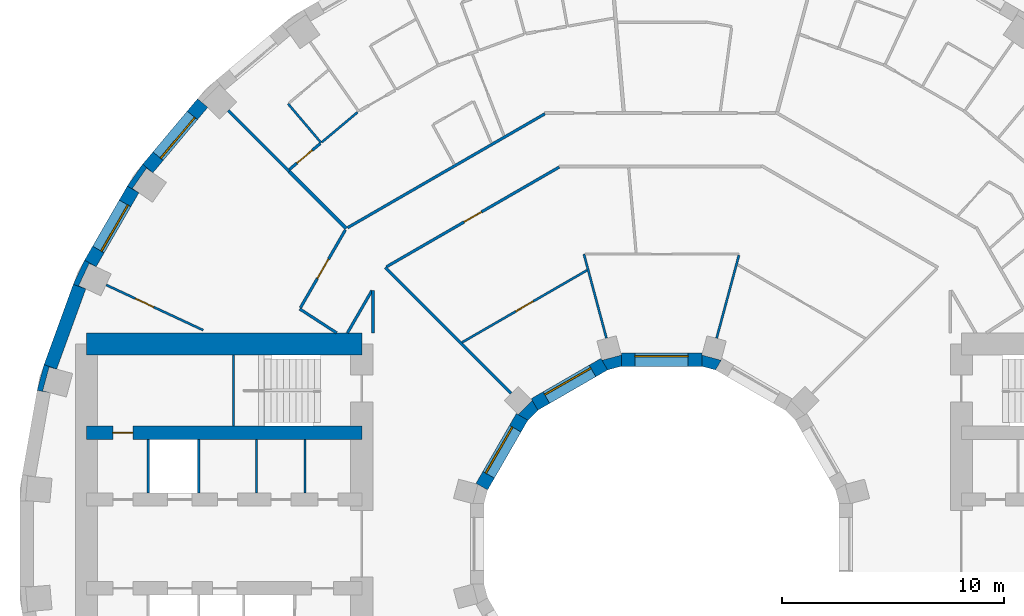
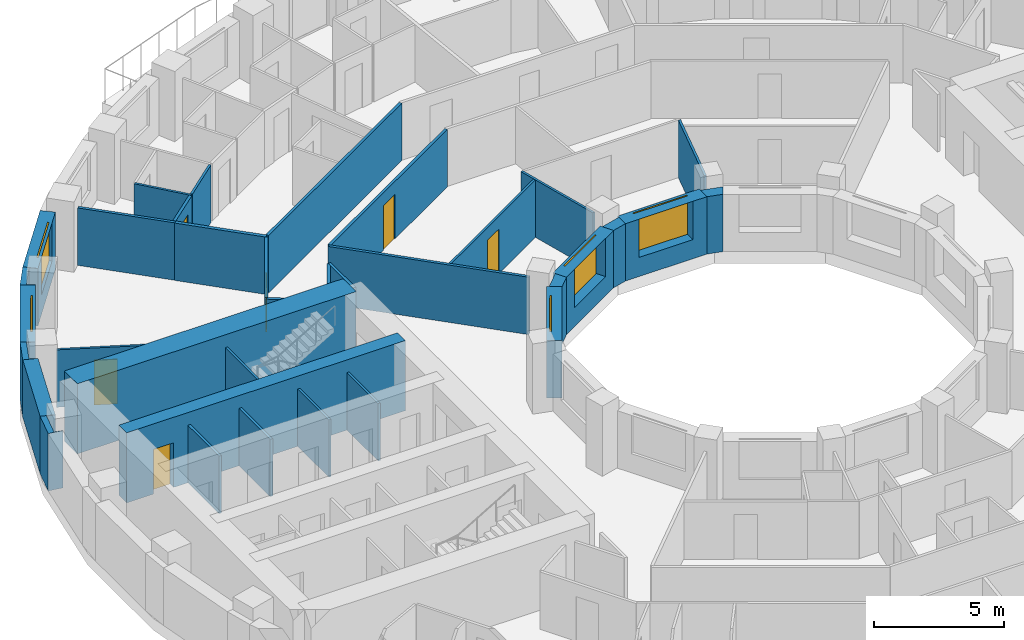
# One storey, part 10 of 15: 35 walls, 6 doors, 5 windows, 11 openings.
"""IFC4 building model written with IfcOpenShell, lengths in metres."""

from ifc_helpers import new_model, si_unit, direction, frame, frame_2d, origin, place, context, subcontext, project, spatial, polyline, rectangle, outline, extrude, material, layer, layer_set, type_object, element, fill, save


model = new_model("IFC4")

# Units and contexts
model_context = context("Model", 3, precision=1e-05, world=origin(), true_north=direction((0.0, 1.0)))
body_context = subcontext(model_context, "Body", "Model", "MODEL_VIEW")
ifc_project = project(units=[si_unit("LENGTHUNIT", "METRE"), si_unit("AREAUNIT", "SQUARE_METRE"), si_unit("VOLUMEUNIT", "CUBIC_METRE"), si_unit("PLANEANGLEUNIT", "RADIAN"), si_unit("MASSUNIT", "GRAM", prefix="KILO")], contexts=[model_context])

# Site, building, storey
site_placement = place(None, origin())
site = spatial("IfcSite", under=ifc_project, at=site_placement, CompositionType="ELEMENT")
building_placement = place(site_placement, origin())
building = spatial("IfcBuilding", under=site, at=building_placement, Name="Saqina Gate Tower", CompositionType="ELEMENT")
storey_placement = place(building_placement, frame((0.0, 0.0, 79.10009765625)))
storey = spatial("IfcBuildingStorey", under=building, at=storey_placement, Name="L22", CompositionType="ELEMENT", Elevation=79.10009765625)

# Walls
ifc_material_1 = material(Name="Brick masonry (red)", Category="masonry")
wall_type_1 = type_object("IfcWallType", Name="BRICK PIER COPING RED", PredefinedType="SOLIDWALL", material=ifc_material_1)
wall_1_placement = place(storey_placement, origin())
element("IfcWall", 1, at=wall_1_placement, inside=storey, type_object=wall_type_1, Name="Pier cap L22 column 15", PredefinedType="SOLIDWALL", context=body_context, shape_type="SweptSolid", body=[
    extrude(outline(polyline([(-23.36669921875, 17.096923828125), (-24.0576171875, 16.110107421875), (-23.5380859375, 15.81005859375), (-23.8251953125, 16.010986328125), (-23.194091796875, 16.912109375), (-22.9072265625, 16.711181640625), (-23.36669921875, 17.096923828125)])), origin(), (0.0, 0.0, 1.0), 2.699951171875),
])
wall_2_placement = place(storey_placement, origin())
element("IfcWall", 2, at=wall_2_placement, inside=storey, type_object=wall_type_1, Name="Pier cap L22 column 16", PredefinedType="SOLIDWALL", context=body_context, shape_type="SweptSolid", body=[
    extrude(outline(polyline([(-26.48974609375, 11.687744140625), (-25.92578125, 11.482666015625), (-26.243408203125, 11.630615234375), (-25.778564453125, 12.627685546875), (-25.4609375, 12.4794921875), (-25.980712890625, 12.779541015625), (-26.48974609375, 11.687744140625)])), origin(), (0.0, 0.0, 1.0), 2.699951171875),
])
wall_3_placement = place(storey_placement, origin())
element("IfcWall", 3, at=wall_3_placement, inside=storey, type_object=wall_type_1, Name="Pier cap L22 column 17", PredefinedType="SOLIDWALL", context=body_context, shape_type="SweptSolid", body=[
    extrude(outline(polyline([(-28.11669921875, 6.910400390625), (-27.52587890625, 6.80615234375), (-27.864501953125, 6.896728515625), (-27.57958984375, 7.95947265625), (-27.2412109375, 7.86865234375), (-27.80517578125, 8.073974609375), (-28.11669921875, 6.910400390625)])), origin(), (0.0, 0.0, 1.0), 2.699951171875),
])
ifc_material_2 = material(Name="Gypsum board on steel studs", Category="steel")
ifc_layer_1 = layer(ifc_material_2, 0.10009765625)
ifc_layer_set_1 = layer_set([ifc_layer_1], Name="CORE PARTITION")
wall_type_2 = type_object("IfcWallType", Name="CORE PARTITION", PredefinedType="PARTITIONING", material=ifc_layer_set_1)
for number, where, z_axis, x_axis, name in (
    (4, (-16.052001953125, 2.300048828125, 0.0), (0.0, 0.0, 1.0), (0.0, 1.0, 0.0), "L22-CP-W01"),
    (5, (-18.24072265625, 2.300048828125, 0.0), (0.0, 0.0, 1.0), (0.0, 1.0, 0.0), "L22-CP-W02"),
):
    element("IfcWall", number, at=place(storey_placement, frame(where, z_axis=z_axis, x_axis=x_axis)), inside=storey, type_object=wall_type_2, Name=name, PredefinedType="PARTITIONING", context=body_context, shape_type="SweptSolid", body=[
        extrude(rectangle(XDim=2.39990234375, YDim=0.10009765625, at=frame_2d((1.199951171875, 0.0))), origin(), (0.0, 0.0, 1.0), 2.699951171875),
    ])

# Wall, opening, window
ifc_material_3 = material(Name="Brick masonry (red)", Category="masonry")
ifc_layer_2 = layer(ifc_material_3, 0.60009765625)
ifc_layer_set_2 = layer_set([ifc_layer_2], Name="FW-BRICK-RED")
wall_type_3 = type_object("IfcWallType", Name="FW-BRICK-RED", PredefinedType="SOLIDWALL", material=ifc_layer_set_2)
wall_4_placement = place(storey_placement, frame((-20.664794921875, 19.85009765625, 0.0), z_axis=(0.0, 0.0, 1.0), x_axis=(-0.642809392687, -0.766026164483, 0.0)))
wall_4 = element("IfcWall", 6, at=wall_4_placement, inside=storey, type_object=wall_type_3, Name="Facade wall L22 facet 14", PredefinedType="SOLIDWALL", context=body_context, shape_type="SweptSolid", body=[
    extrude(rectangle(XDim=3.845947265625, YDim=0.60009765625, at=frame_2d((1.9228515625, 0.0))), origin(), (0.0, 0.0, 1.0), 2.699951171875),
])
opening_1_placement = place(wall_4_placement, frame((0.722900390625, 0.0, 0.89990234375)))
opening_1 = element("IfcOpeningElement", 7, at=opening_1_placement, cuts=wall_4, Name="Opening G06-W08", PredefinedType="OPENING", context=body_context, shape_type="SweptSolid", body=[
    extrude(rectangle(XDim=2.39990234375, YDim=1.800048828125, at=frame_2d((1.199951171875, 0.89990234375))), frame((0.0, 0.31201171875, 0.0), z_axis=(0.0, -1.0, 0.0), x_axis=(1.0, 0.0, 0.0)), (0.0, 0.0, 1.0), 0.6240234375),
])
ifc_material_4 = material(Name="Aluminium glazing", Category="aluminium")
window_type_1 = type_object("IfcWindowType", Name="WN-A", PartitioningType="SINGLE_PANEL", PredefinedType="WINDOW", material=ifc_material_4)
window_1_placement = place(opening_1_placement, origin())
window_1 = element("IfcWindow", 8, at=window_1_placement, inside=storey, type_object=window_type_1, Name="Window L22 facet 14", OverallHeight=1.800048828125, OverallWidth=2.39990234375, PartitioningType="SINGLE_PANEL", PredefinedType="WINDOW", context=body_context, shape_type="SweptSolid", body=[
    extrude(rectangle(XDim=2.39990234375, YDim=1.800048828125, at=frame_2d((1.199951171875, 0.89990234375))), frame((0.0, 0.179931640625, 0.0), z_axis=(0.0, -1.0, 0.0), x_axis=(1.0, 0.0, 0.0)), (0.0, 0.0, 1.0), 0.06005859375),
])
fill(opening_1, window_1)

wall_5_placement = place(storey_placement, frame((-23.7978515625, 15.960205078125, 0.0), z_axis=(0.0, 0.0, 1.0), x_axis=(-0.499989888488, -0.86603124159, 0.0)))
wall_5 = element("IfcWall", 9, at=wall_5_placement, inside=storey, type_object=wall_type_3, Name="Facade wall L22 facet 15", PredefinedType="SOLIDWALL", context=body_context, shape_type="SweptSolid", body=[
    extrude(rectangle(XDim=3.845703125, YDim=0.60009765625, at=frame_2d((1.9228515625, 0.0))), origin(), (0.0, 0.0, 1.0), 2.699951171875),
])
opening_2_placement = place(wall_5_placement, frame((0.722900390625, 0.0, 0.89990234375)))
opening_2 = element("IfcOpeningElement", 10, at=opening_2_placement, cuts=wall_5, Name="Opening G06-W09", PredefinedType="OPENING", context=body_context, shape_type="SweptSolid", body=[
    extrude(rectangle(XDim=2.39990234375, YDim=1.800048828125, at=frame_2d((1.199951171875, 0.89990234375))), frame((0.0, 0.31201171875, 0.0), z_axis=(0.0, -1.0, 0.0), x_axis=(1.0, 0.0, 0.0)), (0.0, 0.0, 1.0), 0.6240234375),
])
window_2_placement = place(opening_2_placement, origin())
window_2 = element("IfcWindow", 11, at=window_2_placement, inside=storey, type_object=window_type_1, Name="Window L22 facet 15", OverallHeight=1.800048828125, OverallWidth=2.39990234375, PartitioningType="SINGLE_PANEL", PredefinedType="WINDOW", context=body_context, shape_type="SweptSolid", body=[
    extrude(rectangle(XDim=2.39990234375, YDim=1.800048828125, at=frame_2d((1.199951171875, 0.89990234375))), frame((0.0, 0.179931640625, 0.0), z_axis=(0.0, -1.0, 0.0), x_axis=(1.0, 0.0, 0.0)), (0.0, 0.0, 1.0), 0.06005859375),
])
fill(opening_2, window_2)

# Wall
ifc_material_5 = material(Name="Glazed ceramic tile (dark blue)", Category="ceramic")
ifc_layer_3 = layer(ifc_material_5, 0.60009765625)
ifc_layer_set_3 = layer_set([ifc_layer_3], Name="FW-TILE-CB")
wall_type_4 = type_object("IfcWallType", Name="FW-TILE-CB", PredefinedType="SOLIDWALL", material=ifc_layer_set_3)
wall_6_placement = place(storey_placement, frame((-26.207763671875, 11.585205078125, 0.0), z_axis=(0.0, 0.0, 1.0), x_axis=(-0.342028474173, -0.939689588564, 0.0)))
element("IfcWall", 12, at=wall_6_placement, inside=storey, type_object=wall_type_4, Name="Facade wall L22 facet 16", PredefinedType="SOLIDWALL", context=body_context, shape_type="SweptSolid", body=[
    extrude(rectangle(XDim=3.845947265625, YDim=0.60009765625, at=frame_2d((1.9228515625, 0.0))), origin(), (0.0, 0.0, 1.0), 2.699951171875),
])

# Wall, opening, window
ifc_material_6 = material(Name="Glazed ceramic tile", Category="ceramic")
ifc_layer_4 = layer(ifc_material_6, 0.60009765625)
ifc_layer_set_4 = layer_set([ifc_layer_4], Name="IW-TILE")
wall_type_5 = type_object("IfcWallType", Name="IW-TILE", PredefinedType="SOLIDWALL", material=ifc_layer_set_4)
wall_7_placement = place(storey_placement, frame((1.8125, 8.300048828125, 0.0), z_axis=(0.0, 0.0, 1.0), x_axis=(-1.0, 0.0, 0.0)))
wall_7 = element("IfcWall", 13, at=wall_7_placement, inside=storey, type_object=wall_type_5, Name="Well wall L22 facet 3", PredefinedType="SOLIDWALL", context=body_context, shape_type="SweptSolid", body=[
    extrude(rectangle(XDim=3.625, YDim=0.60009765625, at=frame_2d((1.8125, 0.0))), origin(), (0.0, 0.0, 1.0), 2.699951171875),
])
opening_3_placement = place(wall_7_placement, frame((0.612548828125, 0.0, 0.89990234375)))
opening_3 = element("IfcOpeningElement", 14, at=opening_3_placement, cuts=wall_7, Name="Opening G06-W25", PredefinedType="OPENING", context=body_context, shape_type="SweptSolid", body=[
    extrude(rectangle(XDim=2.39990234375, YDim=1.800048828125, at=frame_2d((1.199951171875, 0.89990234375))), frame((0.0, 0.31201171875, 0.0), z_axis=(0.0, -1.0, 0.0), x_axis=(1.0, 0.0, 0.0)), (0.0, 0.0, 1.0), 0.6240234375),
])
ifc_material_7 = material(Name="Aluminium glazing", Category="aluminium")
window_type_2 = type_object("IfcWindowType", Name="WN-W", PartitioningType="SINGLE_PANEL", PredefinedType="WINDOW", material=ifc_material_7)
window_3_placement = place(opening_3_placement, origin())
window_3 = element("IfcWindow", 15, at=window_3_placement, inside=storey, type_object=window_type_2, Name="Well window L22 facet 3", OverallHeight=1.800048828125, OverallWidth=2.39990234375, PartitioningType="SINGLE_PANEL", PredefinedType="WINDOW", context=body_context, shape_type="SweptSolid", body=[
    extrude(rectangle(XDim=2.39990234375, YDim=1.800048828125, at=frame_2d((1.199951171875, 0.89990234375))), frame((0.0, -0.119873046875, 0.0), z_axis=(0.0, -1.0, 0.0), x_axis=(1.0, 0.0, 0.0)), (0.0, 0.0, 1.0), 0.06005859375),
])
fill(opening_3, window_3)

wall_8_placement = place(storey_placement, frame((-2.580322265625, 8.09423828125, 0.0), z_axis=(0.0, 0.0, 1.0), x_axis=(-0.866029693906, -0.499992569217, 0.0)))
wall_8 = element("IfcWall", 16, at=wall_8_placement, inside=storey, type_object=wall_type_5, Name="Well wall L22 facet 4", PredefinedType="SOLIDWALL", context=body_context, shape_type="SweptSolid", body=[
    extrude(rectangle(XDim=3.625, YDim=0.60009765625, at=frame_2d((1.8125, 0.0))), origin(), (0.0, 0.0, 1.0), 2.699951171875),
])
opening_4_placement = place(wall_8_placement, frame((0.612548828125, 0.0, 0.89990234375)))
opening_4 = element("IfcOpeningElement", 17, at=opening_4_placement, cuts=wall_8, Name="Opening G06-W26", PredefinedType="OPENING", context=body_context, shape_type="SweptSolid", body=[
    extrude(rectangle(XDim=2.39990234375, YDim=1.800048828125, at=frame_2d((1.199951171875, 0.89990234375))), frame((0.0, 0.31201171875, 0.0), z_axis=(0.0, -1.0, 0.0), x_axis=(1.0, 0.0, 0.0)), (0.0, 0.0, 1.0), 0.6240234375),
])
window_4_placement = place(opening_4_placement, origin())
window_4 = element("IfcWindow", 18, at=window_4_placement, inside=storey, type_object=window_type_2, Name="Well window L22 facet 4", OverallHeight=1.800048828125, OverallWidth=2.39990234375, PartitioningType="SINGLE_PANEL", PredefinedType="WINDOW", context=body_context, shape_type="SweptSolid", body=[
    extrude(rectangle(XDim=2.39990234375, YDim=1.800048828125, at=frame_2d((1.199951171875, 0.89990234375))), frame((0.0, -0.119873046875, 0.0), z_axis=(0.0, -1.0, 0.0), x_axis=(1.0, 0.0, 0.0)), (0.0, 0.0, 1.0), 0.06005859375),
])
fill(opening_4, window_4)

wall_9_placement = place(storey_placement, frame((-6.28173828125, 5.7197265625, 0.0), z_axis=(0.0, 0.0, 1.0), x_axis=(-0.499992569217, -0.866029693906, 0.0)))
wall_9 = element("IfcWall", 19, at=wall_9_placement, inside=storey, type_object=wall_type_5, Name="Well wall L22 facet 5", PredefinedType="SOLIDWALL", context=body_context, shape_type="SweptSolid", body=[
    extrude(rectangle(XDim=3.625, YDim=0.60009765625, at=frame_2d((1.8125, 0.0))), origin(), (0.0, 0.0, 1.0), 2.699951171875),
])
opening_5_placement = place(wall_9_placement, frame((0.612548828125, 0.0, 0.89990234375)))
opening_5 = element("IfcOpeningElement", 20, at=opening_5_placement, cuts=wall_9, Name="Opening G06-W27", PredefinedType="OPENING", context=body_context, shape_type="SweptSolid", body=[
    extrude(rectangle(XDim=2.39990234375, YDim=1.800048828125, at=frame_2d((1.199951171875, 0.89990234375))), frame((0.0, 0.31201171875, 0.0), z_axis=(0.0, -1.0, 0.0), x_axis=(1.0, 0.0, 0.0)), (0.0, 0.0, 1.0), 0.6240234375),
])
window_5_placement = place(opening_5_placement, origin())
window_5 = element("IfcWindow", 21, at=window_5_placement, inside=storey, type_object=window_type_2, Name="Well window L22 facet 5", OverallHeight=1.800048828125, OverallWidth=2.39990234375, PartitioningType="SINGLE_PANEL", PredefinedType="WINDOW", context=body_context, shape_type="SweptSolid", body=[
    extrude(rectangle(XDim=2.39990234375, YDim=1.800048828125, at=frame_2d((1.199951171875, 0.89990234375))), frame((0.0, -0.119873046875, 0.0), z_axis=(0.0, -1.0, 0.0), x_axis=(1.0, 0.0, 0.0)), (0.0, 0.0, 1.0), 0.06005859375),
])
fill(opening_5, window_5)

# Walls
ifc_material_8 = material(Name="Gypsum board on steel studs, 100 mm", Category="steel")
ifc_layer_5 = layer(ifc_material_8, 0.10009765625)
ifc_layer_set_5 = layer_set([ifc_layer_5], Name="PARTITION 100")
wall_type_6 = type_object("IfcWallType", Name="PARTITION 100", PredefinedType="PARTITIONING", material=ifc_layer_set_5)
wall_10_placement = place(storey_placement, frame((-3.4970703125, 13.050048828125, 0.0), z_axis=(0.0, 0.0, 1.0), x_axis=(0.25883367308, -0.965921906616, 0.0)))
element("IfcWall", 22, at=wall_10_placement, inside=storey, type_object=wall_type_6, Name="PARTITION PW3-08", PredefinedType="PARTITIONING", context=body_context, shape_type="SweptSolid", body=[
    extrude(rectangle(XDim=3.918212890625, YDim=0.10009765625, at=frame_2d((1.958984375, 0.0))), origin(), (0.0, 0.0, 1.0), 2.699951171875),
])
wall_11_placement = place(storey_placement, frame((-16.81689453125, 19.81591796875, 0.0), z_axis=(0.0, 0.0, 1.0), x_axis=(0.646883930741, -0.762588473653, 0.0)))
element("IfcWall", 23, at=wall_11_placement, inside=storey, type_object=wall_type_6, Name="PARTITION PW3-33", PredefinedType="PARTITIONING", context=body_context, shape_type="SweptSolid", body=[
    extrude(rectangle(XDim=2.300048828125, YDim=0.10009765625, at=frame_2d((1.14990234375, 0.0))), origin(), (0.0, 0.0, 1.0), 2.699951171875),
])

# Wall, opening, door
wall_12_placement = place(storey_placement, frame((-25.005126953125, 11.659912109375, 0.0), z_axis=(0.0, 0.0, 1.0), x_axis=(0.90635409516, -0.422518939442, 0.0)))
wall_12 = element("IfcWall", 24, at=wall_12_placement, inside=storey, type_object=wall_type_6, Name="PARTITION PW3-47", PredefinedType="PARTITIONING", context=body_context, shape_type="SweptSolid", body=[
    extrude(rectangle(XDim=4.813720703125, YDim=0.10009765625, at=frame_2d((2.40673828125, 0.0))), origin(), (0.0, 0.0, 1.0), 2.699951171875),
])
opening_6_placement = place(wall_12_placement, frame((1.453125, 0.0, 0.0)))
opening_6 = element("IfcOpeningElement", 25, at=opening_6_placement, cuts=wall_12, Name="Opening G06-D33", PredefinedType="OPENING", context=body_context, shape_type="SweptSolid", body=[
    extrude(rectangle(XDim=0.89990234375, YDim=2.10009765625, at=frame_2d((0.449951171875, 1.050048828125))), frame((0.0, 0.06201171875, 0.0), z_axis=(0.0, -1.0, 0.0), x_axis=(1.0, 0.0, 0.0)), (0.0, 0.0, 1.0), 0.1240234375),
])
ifc_material_9 = material(Name="Timber door leaf, 900 mm", Category="wood")
door_type_1 = type_object("IfcDoorType", Name="DOOR 900 TIMBER", OperationType="SINGLE_SWING_LEFT", PredefinedType="DOOR", material=ifc_material_9)
door_1_placement = place(opening_6_placement, origin())
door_1 = element("IfcDoor", 26, at=door_1_placement, inside=storey, type_object=door_type_1, Name="DOOR G06-D33", OperationType="SINGLE_SWING_LEFT", OverallHeight=2.10009765625, OverallWidth=0.89990234375, PredefinedType="DOOR", context=body_context, shape_type="SweptSolid", body=[
    extrude(rectangle(XDim=0.89990234375, YDim=2.10009765625, at=frame_2d((0.449951171875, 1.050048828125))), frame((0.0, 0.02490234375, 0.0), z_axis=(0.0, -1.0, 0.0), x_axis=(1.0, 0.0, 0.0)), (0.0, 0.0, 1.0), 0.050048828125),
])
fill(opening_6, door_1)

wall_13_placement = place(storey_placement, frame((-8.98681640625, 9.072265625, 0.0), z_axis=(0.0, 0.0, 1.0), x_axis=(0.866049975988, 0.49995743728, 0.0)))
wall_13 = element("IfcWall", 27, at=wall_13_placement, inside=storey, type_object=wall_type_6, Name="PARTITION PW3-78", PredefinedType="PARTITIONING", context=body_context, shape_type="SweptSolid", body=[
    extrude(rectangle(XDim=6.50537109375, YDim=0.10009765625, at=frame_2d((3.252685546875, 0.0))), origin(), (0.0, 0.0, 1.0), 2.699951171875),
])
opening_7_placement = place(wall_13_placement, frame((2.796875, 0.0, 0.0)))
opening_7 = element("IfcOpeningElement", 28, at=opening_7_placement, cuts=wall_13, Name="Opening G06-D27", PredefinedType="OPENING", context=body_context, shape_type="SweptSolid", body=[
    extrude(rectangle(XDim=0.89990234375, YDim=2.10009765625, at=frame_2d((0.449951171875, 1.050048828125))), frame((0.0, 0.06201171875, 0.0), z_axis=(0.0, -1.0, 0.0), x_axis=(1.0, 0.0, 0.0)), (0.0, 0.0, 1.0), 0.1240234375),
])
door_2_placement = place(opening_7_placement, origin())
door_2 = element("IfcDoor", 29, at=door_2_placement, inside=storey, type_object=door_type_1, Name="DOOR G06-D27", OperationType="SINGLE_SWING_LEFT", OverallHeight=2.10009765625, OverallWidth=0.89990234375, PredefinedType="DOOR", context=body_context, shape_type="SweptSolid", body=[
    extrude(rectangle(XDim=0.89990234375, YDim=2.10009765625, at=frame_2d((0.449951171875, 1.050048828125))), frame((0.0, 0.02490234375, 0.0), z_axis=(0.0, -1.0, 0.0), x_axis=(1.0, 0.0, 0.0)), (0.0, 0.0, 1.0), 0.050048828125),
])
fill(opening_7, door_2)

# Walls
wall_14_placement = place(storey_placement, frame((-15.290771484375, 18.09423828125, 0.0), z_axis=(0.0, 0.0, 1.0), x_axis=(0.765911671875, 0.642945807114, 0.0)))
element("IfcWall", 30, at=wall_14_placement, inside=storey, type_object=wall_type_6, Name="PARTITION PW3-90", PredefinedType="PARTITIONING", context=body_context, shape_type="SweptSolid", body=[
    extrude(rectangle(XDim=2.092529296875, YDim=0.10009765625, at=frame_2d((1.04638671875, 0.0))), origin(), (0.0, 0.0, 1.0), 2.699951171875),
])
wall_15_placement = place(storey_placement, frame((2.4794921875, 9.26611328125, 0.0), z_axis=(0.0, 0.0, 1.0), x_axis=(0.259708651599, 0.965687017768, 0.0)))
element("IfcWall", 31, at=wall_15_placement, inside=storey, type_object=wall_type_6, Name="PARTITION PW3-111", PredefinedType="PARTITIONING", context=body_context, shape_type="SweptSolid", body=[
    extrude(rectangle(XDim=3.868408203125, YDim=0.10009765625, at=frame_2d((1.93408203125, 0.0))), origin(), (0.0, 0.0, 1.0), 2.699951171875),
])
ifc_material_10 = material(Name="Gypsum board on steel studs, 125 mm, fire rated", Category="steel")
ifc_layer_6 = layer(ifc_material_10, 0.125)
ifc_layer_set_6 = layer_set([ifc_layer_6], Name="PARTITION EI 30 125")
wall_type_7 = type_object("IfcWallType", Name="PARTITION EI 30 125", PredefinedType="PARTITIONING", material=ifc_layer_set_6)
wall_16_placement = place(storey_placement, frame((-19.509033203125, 19.509033203125, 0.0), z_axis=(0.0, 0.0, 1.0), x_axis=(0.707106781187, -0.707106781187, 0.0)))
element("IfcWall", 32, at=wall_16_placement, inside=storey, type_object=wall_type_7, Name="PARTITION PW1-12", PredefinedType="PARTITIONING", context=body_context, shape_type="SweptSolid", body=[
    extrude(rectangle(XDim=3.87255859375, YDim=0.125, at=frame_2d((1.936279296875, 0.0))), origin(), (0.0, 0.0, 1.0), 2.699951171875),
])
wall_17_placement = place(storey_placement, frame((-12.445068359375, 12.445068359375, 0.0), z_axis=(0.0, 0.0, 1.0), x_axis=(0.707106781187, -0.707106781187, 0.0)))
element("IfcWall", 33, at=wall_17_placement, inside=storey, type_object=wall_type_7, Name="PARTITION PW1-13", PredefinedType="PARTITIONING", context=body_context, shape_type="SweptSolid", body=[
    extrude(rectangle(XDim=8.0078125, YDim=0.125, at=frame_2d((4.00390625, 0.0))), origin(), (0.0, 0.0, 1.0), 2.699951171875),
])
wall_18_placement = place(storey_placement, frame((-16.29296875, 10.580078125, 0.0), z_axis=(0.0, 0.0, 1.0), x_axis=(0.838803325008, -0.544434552499, 0.0)))
element("IfcWall", 34, at=wall_18_placement, inside=storey, type_object=wall_type_7, Name="PARTITION PW1-18", PredefinedType="PARTITIONING", context=body_context, shape_type="SweptSolid", body=[
    extrude(rectangle(XDim=1.98388671875, YDim=0.125, at=frame_2d((0.991943359375, 0.0))), origin(), (0.0, 0.0, 1.0), 2.699951171875),
])

# Wall, opening, door
wall_19_placement = place(storey_placement, frame((-12.390869140625, 12.476318359375, 0.0), z_axis=(0.0, 0.0, 1.0), x_axis=(0.866042609802, 0.499970197119, 0.0)))
wall_19 = element("IfcWall", 35, at=wall_19_placement, inside=storey, type_object=wall_type_7, Name="PARTITION PW1-47", PredefinedType="PARTITIONING", context=body_context, shape_type="SweptSolid", body=[
    extrude(rectangle(XDim=8.9853515625, YDim=0.125, at=frame_2d((4.49267578125, 0.0))), origin(), (0.0, 0.0, 1.0), 2.699951171875),
])
opening_8_placement = place(wall_19_placement, frame((4.042724609375, 0.0, 0.0)))
opening_8 = element("IfcOpeningElement", 36, at=opening_8_placement, cuts=wall_19, Name="Opening G06-D28", PredefinedType="OPENING", context=body_context, shape_type="SweptSolid", body=[
    extrude(rectangle(XDim=0.89990234375, YDim=2.10009765625, at=frame_2d((0.449951171875, 1.050048828125))), frame((0.0, 0.074462890625, 0.0), z_axis=(0.0, -1.0, 0.0), x_axis=(1.0, 0.0, 0.0)), (0.0, 0.0, 1.0), 0.14892578125),
])
ifc_material_11 = material(Name="Fire door leaf EI 30, 900 mm")
door_type_2 = type_object("IfcDoorType", Name="DOOR 900 EI 30", OperationType="SINGLE_SWING_LEFT", PredefinedType="DOOR", material=ifc_material_11)
door_3_placement = place(opening_8_placement, frame((0.89990234375, 0.0, 0.0), z_axis=(0.0, 0.0, 1.0), x_axis=(-1.0, 0.0, 0.0)))
door_3 = element("IfcDoor", 37, at=door_3_placement, inside=storey, type_object=door_type_2, Name="DOOR G06-D28", OperationType="SINGLE_SWING_RIGHT", OverallHeight=2.10009765625, OverallWidth=0.89990234375, PredefinedType="DOOR", context=body_context, shape_type="SweptSolid", body=[
    extrude(rectangle(XDim=0.89990234375, YDim=2.10009765625, at=frame_2d((0.449951171875, 1.050048828125))), frame((0.0, 0.02490234375, 0.0), z_axis=(0.0, -1.0, 0.0), x_axis=(1.0, 0.0, 0.0)), (0.0, 0.0, 1.0), 0.050048828125),
])
fill(opening_8, door_3)

# Wall
wall_20_placement = place(storey_placement, frame((-14.136962890625, 14.239501953125, 0.0), z_axis=(0.0, 0.0, 1.0), x_axis=(0.866045301435, 0.499965534674, 0.0)))
element("IfcWall", 38, at=wall_20_placement, inside=storey, type_object=wall_type_7, Name="PARTITION PW1-48", PredefinedType="PARTITIONING", context=body_context, shape_type="SweptSolid", body=[
    extrude(rectangle(XDim=10.259033203125, YDim=0.125, at=frame_2d((5.12939453125, 0.0))), origin(), (0.0, 0.0, 1.0), 2.699951171875),
])

# Wall, opening, door
wall_21_placement = place(storey_placement, frame((-16.757568359375, 16.86328125, 0.0), z_axis=(0.0, 0.0, 1.0), x_axis=(0.766088979655, 0.642734529375, 0.0)))
wall_21 = element("IfcWall", 39, at=wall_21_placement, inside=storey, type_object=wall_type_7, Name="PARTITION PW1-52", PredefinedType="PARTITIONING", context=body_context, shape_type="SweptSolid", body=[
    extrude(rectangle(XDim=1.81494140625, YDim=0.125, at=frame_2d((0.907470703125, 0.0))), origin(), (0.0, 0.0, 1.0), 2.699951171875),
])
opening_9_placement = place(wall_21_placement, frame((0.44482421875, 0.0, 0.0)))
opening_9 = element("IfcOpeningElement", 40, at=opening_9_placement, cuts=wall_21, Name="Opening G06-D31", PredefinedType="OPENING", context=body_context, shape_type="SweptSolid", body=[
    extrude(rectangle(XDim=0.89990234375, YDim=2.10009765625, at=frame_2d((0.449951171875, 1.050048828125))), frame((0.0, 0.074462890625, 0.0), z_axis=(0.0, -1.0, 0.0), x_axis=(1.0, 0.0, 0.0)), (0.0, 0.0, 1.0), 0.14892578125),
])
door_4_placement = place(opening_9_placement, frame((0.89990234375, 0.0, 0.0), z_axis=(0.0, 0.0, 1.0), x_axis=(-1.0, 0.0, 0.0)))
door_4 = element("IfcDoor", 41, at=door_4_placement, inside=storey, type_object=door_type_2, Name="DOOR G06-D31", OperationType="SINGLE_SWING_RIGHT", OverallHeight=2.10009765625, OverallWidth=0.89990234375, PredefinedType="DOOR", context=body_context, shape_type="SweptSolid", body=[
    extrude(rectangle(XDim=0.89990234375, YDim=2.10009765625, at=frame_2d((0.449951171875, 1.050048828125))), frame((0.0, 0.02490234375, 0.0), z_axis=(0.0, -1.0, 0.0), x_axis=(1.0, 0.0, 0.0)), (0.0, 0.0, 1.0), 0.050048828125),
])
fill(opening_9, door_4)

# Wall
wall_22_placement = place(storey_placement, frame((-14.14501953125, 9.5, 0.0), z_axis=(0.0, 0.0, 1.0), x_axis=(0.500012531179, 0.866018168784, 0.0)))
element("IfcWall", 42, at=wall_22_placement, inside=storey, type_object=wall_type_7, Name="PARTITION PW1-57", PredefinedType="PARTITIONING", context=body_context, shape_type="SweptSolid", body=[
    extrude(rectangle(XDim=2.2099609375, YDim=0.125, at=frame_2d((1.10498046875, 0.0))), origin(), (0.0, 0.0, 1.0), 2.699951171875),
])

# Wall, opening, door
wall_23_placement = place(storey_placement, frame((-16.26171875, 10.634033203125, 0.0), z_axis=(0.0, 0.0, 1.0), x_axis=(0.499962802816, 0.866046878523, 0.0)))
wall_23 = element("IfcWall", 43, at=wall_23_placement, inside=storey, type_object=wall_type_7, Name="PARTITION PW1-58", PredefinedType="PARTITIONING", context=body_context, shape_type="SweptSolid", body=[
    extrude(rectangle(XDim=4.044677734375, YDim=0.125, at=frame_2d((2.0224609375, 0.0))), origin(), (0.0, 0.0, 1.0), 2.699951171875),
])
opening_10_placement = place(wall_23_placement, frame((1.528564453125, 0.0, 0.0)))
opening_10 = element("IfcOpeningElement", 44, at=opening_10_placement, cuts=wall_23, Name="Opening G06-D32", PredefinedType="OPENING", context=body_context, shape_type="SweptSolid", body=[
    extrude(rectangle(XDim=1.0, YDim=2.10009765625, at=frame_2d((0.5, 1.050048828125))), frame((0.0, 0.074462890625, 0.0), z_axis=(0.0, -1.0, 0.0), x_axis=(1.0, 0.0, 0.0)), (0.0, 0.0, 1.0), 0.14892578125),
])
ifc_material_12 = material(Name="Fire door leaf EI 30, 1000 mm")
door_type_3 = type_object("IfcDoorType", Name="DOOR 1000 EI 30", OperationType="SINGLE_SWING_LEFT", PredefinedType="DOOR", material=ifc_material_12)
door_5_placement = place(opening_10_placement, frame((1.0, 0.0, 0.0), z_axis=(0.0, 0.0, 1.0), x_axis=(-1.0, 0.0, 0.0)))
door_5 = element("IfcDoor", 45, at=door_5_placement, inside=storey, type_object=door_type_3, Name="DOOR G06-D32", OperationType="SINGLE_SWING_LEFT", OverallHeight=2.10009765625, OverallWidth=1.0, PredefinedType="DOOR", context=body_context, shape_type="SweptSolid", body=[
    extrude(rectangle(XDim=1.0, YDim=2.10009765625, at=frame_2d((0.5, 1.050048828125))), frame((0.0, 0.02490234375, 0.0), z_axis=(0.0, -1.0, 0.0), x_axis=(1.0, 0.0, 0.0)), (0.0, 0.0, 1.0), 0.050048828125),
])
fill(opening_10, door_5)

# Walls
wall_24_placement = place(storey_placement, frame((-13.0, 9.5, 0.0), z_axis=(0.0, 0.0, 1.0), x_axis=(0.0, 1.0, 0.0)))
element("IfcWall", 46, at=wall_24_placement, inside=storey, type_object=wall_type_7, Name="PARTITION PW1-63", PredefinedType="PARTITIONING", context=body_context, shape_type="SweptSolid", body=[
    extrude(rectangle(XDim=1.92041015625, YDim=0.125, at=frame_2d((0.960205078125, 0.0))), origin(), (0.0, 0.0, 1.0), 2.699951171875),
])
ifc_material_13 = material(Name="Gypsum board on steel studs, 150 mm, fire rated", Category="steel")
ifc_layer_7 = layer(ifc_material_13, 0.14990234375)
ifc_layer_set_7 = layer_set([ifc_layer_7], Name="PARTITION EI 60 150")
wall_type_8 = type_object("IfcWallType", Name="PARTITION EI 60 150", PredefinedType="PARTITIONING", material=ifc_layer_set_7)
wall_25_placement = place(storey_placement, frame((-16.770751953125, 16.770751953125, 0.0), z_axis=(0.0, 0.0, 1.0), x_axis=(0.707106781187, -0.707106781187, 0.0)))
element("IfcWall", 47, at=wall_25_placement, inside=storey, type_object=wall_type_8, Name="PARTITION PW2-02", PredefinedType="PARTITIONING", context=body_context, shape_type="SweptSolid", body=[
    extrude(rectangle(XDim=3.6328125, YDim=0.14990234375, at=frame_2d((1.81640625, 0.0))), origin(), (0.0, 0.0, 1.0), 2.699951171875),
])
ifc_material_14 = material(Name="Autoclaved aerated concrete block", Category="concrete")
ifc_layer_8 = layer(ifc_material_14, 0.1201171875)
ifc_layer_set_8 = layer_set([ifc_layer_8], Name="SHAFT PARTITION")
wall_type_9 = type_object("IfcWallType", Name="SHAFT PARTITION", PredefinedType="PARTITIONING", material=ifc_layer_set_8)
for number, where, z_axis, x_axis, name in (
    (48, (-20.840087890625, 2.300048828125, 0.0), (0.0, 0.0, 1.0), (0.0, 1.0, 0.0), "L22-CP-W03"),
    (49, (-23.1201171875, 2.300048828125, 0.0), (0.0, 0.0, 1.0), (0.0, 1.0, 0.0), "L22-CP-W04"),
):
    element("IfcWall", number, at=place(storey_placement, frame(where, z_axis=z_axis, x_axis=x_axis)), inside=storey, type_object=wall_type_9, Name=name, PredefinedType="PARTITIONING", context=body_context, shape_type="SweptSolid", body=[
        extrude(rectangle(XDim=2.39990234375, YDim=0.1201171875, at=frame_2d((1.199951171875, 0.0))), origin(), (0.0, 0.0, 1.0), 2.699951171875),
    ])
ifc_material_15 = material(Name="Autoclaved aerated concrete block", Category="concrete")
ifc_layer_9 = layer(ifc_material_15, 0.10009765625)
ifc_layer_set_9 = layer_set([ifc_layer_9], Name="STAIR ENCLOSURE WALL")
wall_type_10 = type_object("IfcWallType", Name="STAIR ENCLOSURE WALL", PredefinedType="PARTITIONING", material=ifc_layer_set_9)
wall_26_placement = place(storey_placement, frame((-19.27001953125, 5.300048828125, 0.0), z_axis=(0.0, 0.0, 1.0), x_axis=(0.0, 1.0, 0.0)))
element("IfcWall", 50, at=wall_26_placement, inside=storey, type_object=wall_type_10, Name="L22-CP-W10", PredefinedType="PARTITIONING", context=body_context, shape_type="SweptSolid", body=[
    extrude(rectangle(XDim=3.199951171875, YDim=0.10009765625, at=frame_2d((1.60009765625, 0.0))), origin(), (0.0, 0.0, 1.0), 2.699951171875),
])

# Wall, opening, door
ifc_material_16 = material(Name="Concrete C70/85", Category="concrete")
ifc_layer_10 = layer(ifc_material_16, 0.60009765625)
ifc_layer_set_10 = layer_set([ifc_layer_10], Name="Concrete C70/85")
wall_type_11 = type_object("IfcWallType", Name="STR-CORE WALL-A-I", PredefinedType="SHEAR", material=ifc_layer_set_10)
wall_27_placement = place(storey_placement, frame((-13.5, 5.0, 0.0), z_axis=(0.0, 0.0, 1.0), x_axis=(-1.0, 0.0, 0.0)))
wall_27 = element("IfcWall", 51, at=wall_27_placement, inside=storey, type_object=wall_type_11, Name="CORE WALL L22 W-X1", PredefinedType="SHEAR", context=body_context, shape_type="SweptSolid", body=[
    extrude(rectangle(XDim=12.39990234375, YDim=0.60009765625, at=frame_2d((6.199951171875, 0.0))), origin(), (0.0, 0.0, 1.0), 3.2998046875),
])
opening_11_placement = place(wall_27_placement, frame((10.31005859375, 0.0, 0.0)))
opening_11 = element("IfcOpeningElement", 52, at=opening_11_placement, cuts=wall_27, Name="Opening G06-D110", PredefinedType="OPENING", context=body_context, shape_type="SweptSolid", body=[
    extrude(rectangle(XDim=0.89990234375, YDim=2.10009765625, at=frame_2d((0.449951171875, 1.050048828125))), frame((0.0, 0.31201171875, 0.0), z_axis=(0.0, -1.0, 0.0), x_axis=(1.0, 0.0, 0.0)), (0.0, 0.0, 1.0), 0.6240234375),
])
ifc_material_17 = material(Name="Steel-framed fire door leaf, EI 60", Category="steel")
door_type_4 = type_object("IfcDoorType", Name="SERVICE ROOM DOOR 900", OperationType="SINGLE_SWING_LEFT", PredefinedType="DOOR", material=ifc_material_17)
door_6_placement = place(opening_11_placement, frame((0.89990234375, 0.0, 0.0), z_axis=(0.0, 0.0, 1.0), x_axis=(-1.0, 0.0, 0.0)))
door_6 = element("IfcDoor", 53, at=door_6_placement, inside=storey, type_object=door_type_4, Name="L22-CD-W21", OperationType="SINGLE_SWING_LEFT", OverallHeight=2.10009765625, OverallWidth=0.89990234375, PredefinedType="DOOR", context=body_context, shape_type="SweptSolid", body=[
    extrude(rectangle(XDim=0.89990234375, YDim=2.10009765625, at=frame_2d((0.449951171875, 1.050048828125))), frame((0.0, 0.02490234375, 0.0), z_axis=(0.0, -1.0, 0.0), x_axis=(1.0, 0.0, 0.0)), (0.0, 0.0, 1.0), 0.050048828125),
])
fill(opening_11, door_6)

# Walls
ifc_material_18 = material(Name="Concrete C70/85", Category="concrete")
ifc_layer_11 = layer(ifc_material_18, 1.0)
ifc_layer_set_11 = layer_set([ifc_layer_11], Name="Concrete C70/85")
wall_type_12 = type_object("IfcWallType", Name="STR-CORE WALL-A-O", PredefinedType="SHEAR", material=ifc_layer_set_11)
wall_28_placement = place(storey_placement, frame((-13.5, 9.0, 0.0), z_axis=(0.0, 0.0, 1.0), x_axis=(-1.0, 0.0, 0.0)))
element("IfcWall", 54, at=wall_28_placement, inside=storey, type_object=wall_type_12, Name="CORE WALL L22 W-NE", PredefinedType="SHEAR", context=body_context, shape_type="SweptSolid", body=[
    extrude(rectangle(XDim=12.39990234375, YDim=1.0, at=frame_2d((6.199951171875, 0.0))), origin(), (0.0, 0.0, 1.0), 3.2998046875),
])
ifc_material_19 = material(Name="Glazed ceramic tile", Category="ceramic")
wall_type_13 = type_object("IfcWallType", Name="TILE PIER COPING", PredefinedType="SOLIDWALL", material=ifc_material_19)
wall_29_placement = place(storey_placement, origin())
element("IfcWall", 55, at=wall_29_placement, inside=storey, type_object=wall_type_13, Name="Well pier cap L22 column 3", PredefinedType="SOLIDWALL", context=body_context, shape_type="SweptSolid", body=[
    extrude(outline(polyline([(1.8125, 8.502685546875), (1.8125, 8.0), (2.430419921875, 7.83447265625), (2.681884765625, 8.27001953125), (1.8125, 8.502685546875)])), origin(), (0.0, 0.0, 1.0), 2.699951171875),
])
wall_30_placement = place(storey_placement, origin())
element("IfcWall", 56, at=wall_30_placement, inside=storey, type_object=wall_type_13, Name="Well pier cap L22 column 4", PredefinedType="SOLIDWALL", context=body_context, shape_type="SweptSolid", body=[
    extrude(outline(polyline([(-2.681884765625, 8.27001953125), (-2.430419921875, 7.83447265625), (-1.8125, 8.0), (-1.8125, 8.502685546875), (-2.681884765625, 8.27001953125)])), origin(), (0.0, 0.0, 1.0), 2.699951171875),
])
wall_31_placement = place(storey_placement, origin())
element("IfcWall", 57, at=wall_31_placement, inside=storey, type_object=wall_type_13, Name="Well pier cap L22 column 5", PredefinedType="SOLIDWALL", context=body_context, shape_type="SweptSolid", body=[
    extrude(outline(polyline([(-6.45751953125, 5.821044921875), (-6.02197265625, 5.569580078125), (-5.569580078125, 6.02197265625), (-5.821044921875, 6.45751953125), (-6.45751953125, 5.821044921875)])), origin(), (0.0, 0.0, 1.0), 2.699951171875),
])

save(model, "model.ifc")
